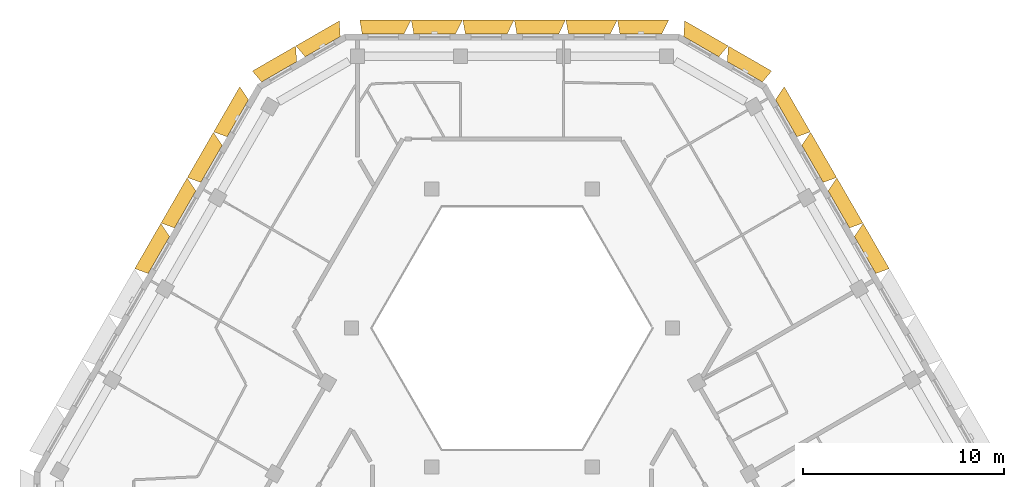
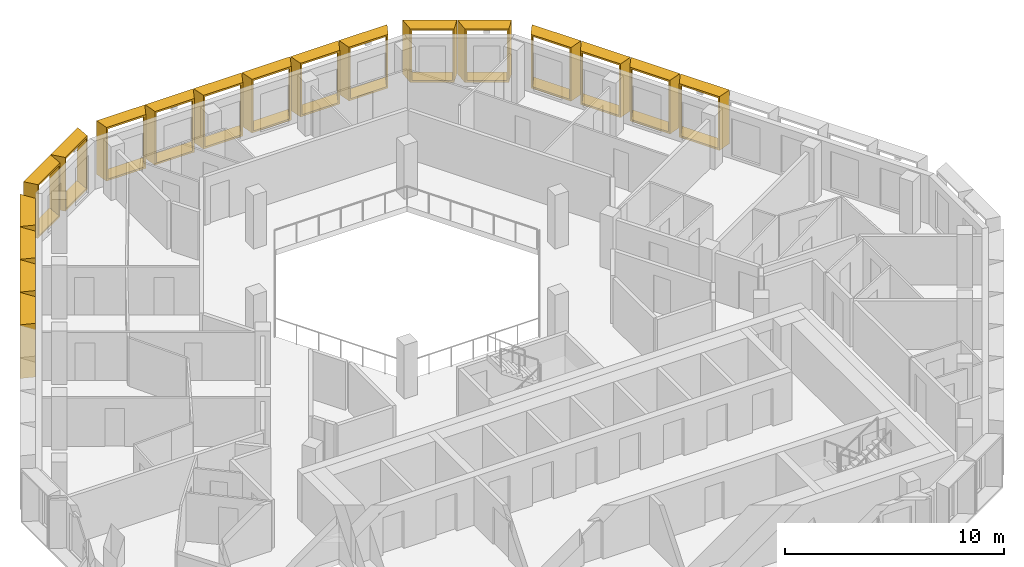
# One storey, part 16 of 16: 18 shading devices.
"""IFC4 building model written with IfcOpenShell, lengths in metres."""

from ifc_helpers import new_model, entity, si_unit, direction, frame, origin, place, context, subcontext, project, spatial, source, transform, mapped, material, type_object, type_shapes, element, save


model = new_model("IFC4")

# Units and contexts
model_context = context("Model", 3, precision=1e-05, world=origin(), true_north=direction((0.0, 1.0)))
body_context = subcontext(model_context, "Body", "Model", "MODEL_VIEW")
ifc_project = project(units=[si_unit("LENGTHUNIT", "METRE"), si_unit("AREAUNIT", "SQUARE_METRE"), si_unit("VOLUMEUNIT", "CUBIC_METRE"), si_unit("PLANEANGLEUNIT", "RADIAN"), si_unit("MASSUNIT", "GRAM", prefix="KILO")], contexts=[model_context])

# Site, building, storey
site_placement = place(None, origin())
site = spatial("IfcSite", under=ifc_project, at=site_placement, CompositionType="ELEMENT")
building_placement = place(site_placement, origin())
building = spatial("IfcBuilding", under=site, at=building_placement, Name="Beryl Residences", CompositionType="ELEMENT")
storey_placement = place(building_placement, frame((0.0, 0.0, 238.800048828125)))
storey = spatial("IfcBuildingStorey", under=building, at=storey_placement, Name="L74", CompositionType="ELEMENT", Elevation=238.800048828125)

# Shading devices
ifc_material_1 = material(Name="Aluminium pale anodised", Category="aluminium")
shading_device_type_1 = type_object("IfcShadingDeviceType", Name="FR250-70B OUTER SKIN frame 700 mm deep, splay 26/10 deg, 2500 x 3000 mm cell", PredefinedType="USERDEFINED", material=ifc_material_1)
cartesian_point_1 = entity("IfcCartesianPoint", [-1.007568359375, 0.0])
cartesian_point_2 = entity("IfcCartesianPoint", [-0.91845703125, 0.10009765625])
cartesian_point_3 = entity("IfcCartesianPoint", [-1.348876953125, 0.0])
cartesian_point_4 = entity("IfcCartesianPoint", [-1.260009765625, 0.10009765625])
shared_shape_1 = source(origin(), body_context, "Body", "SweptSolid", [
    entity("IfcExtrudedAreaSolidTapered", entity("IfcArbitraryProfileDefWithVoids", "AREA", None, entity("IfcPolyline", [cartesian_point_1, entity("IfcCartesianPoint", [1.007568359375, 0.0]), entity("IfcCartesianPoint", [1.007568359375, 3.0]), entity("IfcCartesianPoint", [-1.007568359375, 3.0]), cartesian_point_1]), [entity("IfcPolyline", [cartesian_point_2, entity("IfcCartesianPoint", [0.92626953125, 0.10009765625]), entity("IfcCartesianPoint", [0.92626953125, 2.89990234375]), entity("IfcCartesianPoint", [-0.91845703125, 2.89990234375]), cartesian_point_2])]), entity("IfcAxis2Placement3D", entity("IfcCartesianPoint", [0.0, 0.0, 0.0]), entity("IfcDirection", [0.0, 1.0, 0.0]), entity("IfcDirection", [-1.0, 0.0, 0.0])), entity("IfcDirection", [0.0, 0.0, 1.0]), 0.699951171875, entity("IfcArbitraryProfileDefWithVoids", "AREA", None, entity("IfcPolyline", [cartesian_point_3, entity("IfcCartesianPoint", [1.130859375, 0.0]), entity("IfcCartesianPoint", [1.130859375, 3.0]), entity("IfcCartesianPoint", [-1.348876953125, 3.0]), cartesian_point_3]), [entity("IfcPolyline", [cartesian_point_4, entity("IfcCartesianPoint", [1.0498046875, 0.10009765625]), entity("IfcCartesianPoint", [1.0498046875, 2.89990234375]), entity("IfcCartesianPoint", [-1.260009765625, 2.89990234375]), cartesian_point_4])])),
])
type_shapes(shading_device_type_1, [shared_shape_1])
for number, where, z_axis, x_axis, name in (
    (1, (-9.39599609375, 21.97509765625, 0.0), (0.0, 0.0, 1.0), (0.866025403784, 0.5, 0.0), "FR250-70B frame L74 N-NW 1"),
    (2, (-11.56103515625, 20.72509765625, 0.0), (0.0, 0.0, 1.0), (0.866025403784, 0.5, 0.0), "FR250-70B frame L74 N-NW 2"),
):
    element("IfcShadingDevice", number, at=place(storey_placement, frame(where, z_axis=z_axis, x_axis=x_axis)), inside=storey, type_object=shading_device_type_1, Name=name, ObjectType="OUTER SKIN", PredefinedType="USERDEFINED", context=body_context, shape_type="MappedRepresentation", body=[
        mapped(shared_shape_1, transform((0.0, 0.0, 0.0))),
    ])
ifc_material_2 = material(Name="Aluminium pale anodised", Category="aluminium")
shading_device_type_2 = type_object("IfcShadingDeviceType", Name="FR250-70C OUTER SKIN frame 700 mm deep, splay 10/26 deg, 2500 x 3000 mm cell", PredefinedType="USERDEFINED", material=ifc_material_2)
cartesian_point_5 = entity("IfcCartesianPoint", [-1.007568359375, 0.0])
cartesian_point_6 = entity("IfcCartesianPoint", [-0.92626953125, 0.10009765625])
cartesian_point_7 = entity("IfcCartesianPoint", [-1.130859375, 0.0])
cartesian_point_8 = entity("IfcCartesianPoint", [-1.0498046875, 0.10009765625])
shared_shape_2 = source(origin(), body_context, "Body", "SweptSolid", [
    entity("IfcExtrudedAreaSolidTapered", entity("IfcArbitraryProfileDefWithVoids", "AREA", None, entity("IfcPolyline", [cartesian_point_5, entity("IfcCartesianPoint", [1.007568359375, 0.0]), entity("IfcCartesianPoint", [1.007568359375, 3.0]), entity("IfcCartesianPoint", [-1.007568359375, 3.0]), cartesian_point_5]), [entity("IfcPolyline", [cartesian_point_6, entity("IfcCartesianPoint", [0.91845703125, 0.10009765625]), entity("IfcCartesianPoint", [0.91845703125, 2.89990234375]), entity("IfcCartesianPoint", [-0.92626953125, 2.89990234375]), cartesian_point_6])]), entity("IfcAxis2Placement3D", entity("IfcCartesianPoint", [0.0, 0.0, 0.0]), entity("IfcDirection", [0.0, 1.0, 0.0]), entity("IfcDirection", [-1.0, 0.0, 0.0])), entity("IfcDirection", [0.0, 0.0, 1.0]), 0.699951171875, entity("IfcArbitraryProfileDefWithVoids", "AREA", None, entity("IfcPolyline", [cartesian_point_7, entity("IfcCartesianPoint", [1.348876953125, 0.0]), entity("IfcCartesianPoint", [1.348876953125, 3.0]), entity("IfcCartesianPoint", [-1.130859375, 3.0]), cartesian_point_7]), [entity("IfcPolyline", [cartesian_point_8, entity("IfcCartesianPoint", [1.260009765625, 0.10009765625]), entity("IfcCartesianPoint", [1.260009765625, 2.89990234375]), entity("IfcCartesianPoint", [-1.0498046875, 2.89990234375]), cartesian_point_8])])),
])
type_shapes(shading_device_type_2, [shared_shape_2])
for number, where, z_axis, x_axis, name in (
    (3, (11.56103515625, 20.72509765625, 0.0), (0.0, 0.0, 1.0), (0.866025403784, -0.5, 0.0), "FR250-70C frame L74 NE-N 1"),
    (4, (9.39599609375, 21.97509765625, 0.0), (0.0, 0.0, 1.0), (0.866025403784, -0.5, 0.0), "FR250-70C frame L74 NE-N 2"),
):
    element("IfcShadingDevice", number, at=place(storey_placement, frame(where, z_axis=z_axis, x_axis=x_axis)), inside=storey, type_object=shading_device_type_2, Name=name, ObjectType="OUTER SKIN", PredefinedType="USERDEFINED", context=body_context, shape_type="MappedRepresentation", body=[
        mapped(shared_shape_2, transform((0.0, 0.0, 0.0))),
    ])
ifc_material_3 = material(Name="Aluminium pale anodised", Category="aluminium")
shading_device_type_3 = type_object("IfcShadingDeviceType", Name="FR256-70B OUTER SKIN frame 700 mm deep, splay 26/10 deg, 2560 x 3000 mm cell", PredefinedType="USERDEFINED", material=ifc_material_3)
cartesian_point_9 = entity("IfcCartesianPoint", [-1.03759765625, 0.0])
cartesian_point_10 = entity("IfcCartesianPoint", [-0.948486328125, 0.10009765625])
cartesian_point_11 = entity("IfcCartesianPoint", [-1.37890625, 0.0])
cartesian_point_12 = entity("IfcCartesianPoint", [-1.289794921875, 0.10009765625])
shared_shape_3 = source(origin(), body_context, "Body", "SweptSolid", [
    entity("IfcExtrudedAreaSolidTapered", entity("IfcArbitraryProfileDefWithVoids", "AREA", None, entity("IfcPolyline", [cartesian_point_9, entity("IfcCartesianPoint", [1.03759765625, 0.0]), entity("IfcCartesianPoint", [1.03759765625, 3.0]), entity("IfcCartesianPoint", [-1.03759765625, 3.0]), cartesian_point_9]), [entity("IfcPolyline", [cartesian_point_10, entity("IfcCartesianPoint", [0.956298828125, 0.10009765625]), entity("IfcCartesianPoint", [0.956298828125, 2.89990234375]), entity("IfcCartesianPoint", [-0.948486328125, 2.89990234375]), cartesian_point_10])]), entity("IfcAxis2Placement3D", entity("IfcCartesianPoint", [0.0, 0.0, 0.0]), entity("IfcDirection", [0.0, 1.0, 0.0]), entity("IfcDirection", [-1.0, 0.0, 0.0])), entity("IfcDirection", [0.0, 0.0, 1.0]), 0.699951171875, entity("IfcArbitraryProfileDefWithVoids", "AREA", None, entity("IfcPolyline", [cartesian_point_11, entity("IfcCartesianPoint", [1.160888671875, 0.0]), entity("IfcCartesianPoint", [1.160888671875, 3.0]), entity("IfcCartesianPoint", [-1.37890625, 3.0]), cartesian_point_11]), [entity("IfcPolyline", [cartesian_point_12, entity("IfcCartesianPoint", [1.07958984375, 0.10009765625]), entity("IfcCartesianPoint", [1.07958984375, 2.89990234375]), entity("IfcCartesianPoint", [-1.289794921875, 2.89990234375]), cartesian_point_12])])),
])
type_shapes(shading_device_type_3, [shared_shape_3])
for number, where, z_axis, x_axis, name in (
    (5, (6.39892578125, 22.60009765625, 0.0), (0.0, 0.0, 1.0), (1.0, 0.0, 0.0), "FR256-70B frame L74 N 1"),
    (6, (3.840087890625, 22.60009765625, 0.0), (0.0, 0.0, 1.0), (1.0, 0.0, 0.0), "FR256-70B frame L74 N 2"),
    (7, (1.280029296875, 22.60009765625, 0.0), (0.0, 0.0, 1.0), (1.0, 0.0, 0.0), "FR256-70B frame L74 N 3"),
    (8, (-1.279052734375, 22.60009765625, 0.0), (0.0, 0.0, 1.0), (1.0, 0.0, 0.0), "FR256-70B frame L74 N 4"),
    (9, (-3.839111328125, 22.60009765625, 0.0), (0.0, 0.0, 1.0), (1.0, 0.0, 0.0), "FR256-70B frame L74 N 5"),
    (10, (-6.39794921875, 22.60009765625, 0.0), (0.0, 0.0, 1.0), (1.0, 0.0, 0.0), "FR256-70B frame L74 N 6"),
):
    element("IfcShadingDevice", number, at=place(storey_placement, frame(where, z_axis=z_axis, x_axis=x_axis)), inside=storey, type_object=shading_device_type_3, Name=name, ObjectType="OUTER SKIN", PredefinedType="USERDEFINED", context=body_context, shape_type="MappedRepresentation", body=[
        mapped(shared_shape_3, transform((0.0, 0.0, 0.0))),
    ])
ifc_material_4 = material(Name="Aluminium pale anodised", Category="aluminium")
shading_device_type_4 = type_object("IfcShadingDeviceType", Name="FR261-70B OUTER SKIN frame 700 mm deep, splay 26/10 deg, 2610 x 3000 mm cell", PredefinedType="USERDEFINED", material=ifc_material_4)
cartesian_point_13 = entity("IfcCartesianPoint", [-1.0625, 0.0])
cartesian_point_14 = entity("IfcCartesianPoint", [-0.973388671875, 0.10009765625])
cartesian_point_15 = entity("IfcCartesianPoint", [-1.40380859375, 0.0])
cartesian_point_16 = entity("IfcCartesianPoint", [-1.31494140625, 0.10009765625])
shared_shape_4 = source(origin(), body_context, "Body", "SweptSolid", [
    entity("IfcExtrudedAreaSolidTapered", entity("IfcArbitraryProfileDefWithVoids", "AREA", None, entity("IfcPolyline", [cartesian_point_13, entity("IfcCartesianPoint", [1.0625, 0.0]), entity("IfcCartesianPoint", [1.0625, 3.0]), entity("IfcCartesianPoint", [-1.0625, 3.0]), cartesian_point_13]), [entity("IfcPolyline", [cartesian_point_14, entity("IfcCartesianPoint", [0.981201171875, 0.10009765625]), entity("IfcCartesianPoint", [0.981201171875, 2.89990234375]), entity("IfcCartesianPoint", [-0.973388671875, 2.89990234375]), cartesian_point_14])]), entity("IfcAxis2Placement3D", entity("IfcCartesianPoint", [0.0, 0.0, 0.0]), entity("IfcDirection", [0.0, 1.0, 0.0]), entity("IfcDirection", [-1.0, 0.0, 0.0])), entity("IfcDirection", [0.0, 0.0, 1.0]), 0.699951171875, entity("IfcArbitraryProfileDefWithVoids", "AREA", None, entity("IfcPolyline", [cartesian_point_15, entity("IfcCartesianPoint", [1.18603515625, 0.0]), entity("IfcCartesianPoint", [1.18603515625, 3.0]), entity("IfcCartesianPoint", [-1.40380859375, 3.0]), cartesian_point_15]), [entity("IfcPolyline", [cartesian_point_16, entity("IfcCartesianPoint", [1.104736328125, 0.10009765625]), entity("IfcCartesianPoint", [1.104736328125, 2.89990234375]), entity("IfcCartesianPoint", [-1.31494140625, 2.89990234375]), cartesian_point_16])])),
])
type_shapes(shading_device_type_4, [shared_shape_4])
for number, where, z_axis, x_axis, name in (
    (11, (-13.614013671875, 18.4189453125, 0.0), (0.0, 0.0, 1.0), (0.5, 0.866025403784, 0.0), "FR261-70B frame L74 NW 1"),
    (12, (-14.9208984375, 16.156005859375, 0.0), (0.0, 0.0, 1.0), (0.5, 0.866025403784, 0.0), "FR261-70B frame L74 NW 2"),
    (13, (-16.22705078125, 13.89404296875, 0.0), (0.0, 0.0, 1.0), (0.5, 0.866025403784, 0.0), "FR261-70B frame L74 NW 3"),
    (14, (-17.532958984375, 11.631103515625, 0.0), (0.0, 0.0, 1.0), (0.5, 0.866025403784, 0.0), "FR261-70B frame L74 NW 4"),
):
    element("IfcShadingDevice", number, at=place(storey_placement, frame(where, z_axis=z_axis, x_axis=x_axis)), inside=storey, type_object=shading_device_type_4, Name=name, ObjectType="OUTER SKIN", PredefinedType="USERDEFINED", context=body_context, shape_type="MappedRepresentation", body=[
        mapped(shared_shape_4, transform((0.0, 0.0, 0.0))),
    ])
ifc_material_5 = material(Name="Aluminium pale anodised", Category="aluminium")
shading_device_type_5 = type_object("IfcShadingDeviceType", Name="FR261-70C OUTER SKIN frame 700 mm deep, splay 10/26 deg, 2610 x 3000 mm cell", PredefinedType="USERDEFINED", material=ifc_material_5)
cartesian_point_17 = entity("IfcCartesianPoint", [-1.0625, 0.0])
cartesian_point_18 = entity("IfcCartesianPoint", [-0.981201171875, 0.10009765625])
cartesian_point_19 = entity("IfcCartesianPoint", [-1.18603515625, 0.0])
cartesian_point_20 = entity("IfcCartesianPoint", [-1.104736328125, 0.10009765625])
shared_shape_5 = source(origin(), body_context, "Body", "SweptSolid", [
    entity("IfcExtrudedAreaSolidTapered", entity("IfcArbitraryProfileDefWithVoids", "AREA", None, entity("IfcPolyline", [cartesian_point_17, entity("IfcCartesianPoint", [1.0625, 0.0]), entity("IfcCartesianPoint", [1.0625, 3.0]), entity("IfcCartesianPoint", [-1.0625, 3.0]), cartesian_point_17]), [entity("IfcPolyline", [cartesian_point_18, entity("IfcCartesianPoint", [0.973388671875, 0.10009765625]), entity("IfcCartesianPoint", [0.973388671875, 2.89990234375]), entity("IfcCartesianPoint", [-0.981201171875, 2.89990234375]), cartesian_point_18])]), entity("IfcAxis2Placement3D", entity("IfcCartesianPoint", [0.0, 0.0, 0.0]), entity("IfcDirection", [0.0, 1.0, 0.0]), entity("IfcDirection", [-1.0, 0.0, 0.0])), entity("IfcDirection", [0.0, 0.0, 1.0]), 0.699951171875, entity("IfcArbitraryProfileDefWithVoids", "AREA", None, entity("IfcPolyline", [cartesian_point_19, entity("IfcCartesianPoint", [1.40380859375, 0.0]), entity("IfcCartesianPoint", [1.40380859375, 3.0]), entity("IfcCartesianPoint", [-1.18603515625, 3.0]), cartesian_point_19]), [entity("IfcPolyline", [cartesian_point_20, entity("IfcCartesianPoint", [1.31494140625, 0.10009765625]), entity("IfcCartesianPoint", [1.31494140625, 2.89990234375]), entity("IfcCartesianPoint", [-1.104736328125, 2.89990234375]), cartesian_point_20])])),
])
type_shapes(shading_device_type_5, [shared_shape_5])
for number, where, z_axis, x_axis, name in (
    (15, (17.532958984375, 11.631103515625, 0.0), (0.0, 0.0, 1.0), (0.5, -0.866025403784, 0.0), "FR261-70C frame L74 NE 5"),
    (16, (16.22705078125, 13.89404296875, 0.0), (0.0, 0.0, 1.0), (0.5, -0.866025403784, 0.0), "FR261-70C frame L74 NE 6"),
    (17, (14.9208984375, 16.156005859375, 0.0), (0.0, 0.0, 1.0), (0.5, -0.866025403784, 0.0), "FR261-70C frame L74 NE 7"),
    (18, (13.614013671875, 18.4189453125, 0.0), (0.0, 0.0, 1.0), (0.5, -0.866025403784, 0.0), "FR261-70C frame L74 NE 8"),
):
    element("IfcShadingDevice", number, at=place(storey_placement, frame(where, z_axis=z_axis, x_axis=x_axis)), inside=storey, type_object=shading_device_type_5, Name=name, ObjectType="OUTER SKIN", PredefinedType="USERDEFINED", context=body_context, shape_type="MappedRepresentation", body=[
        mapped(shared_shape_5, transform((0.0, 0.0, 0.0))),
    ])

save(model, "model.ifc")
